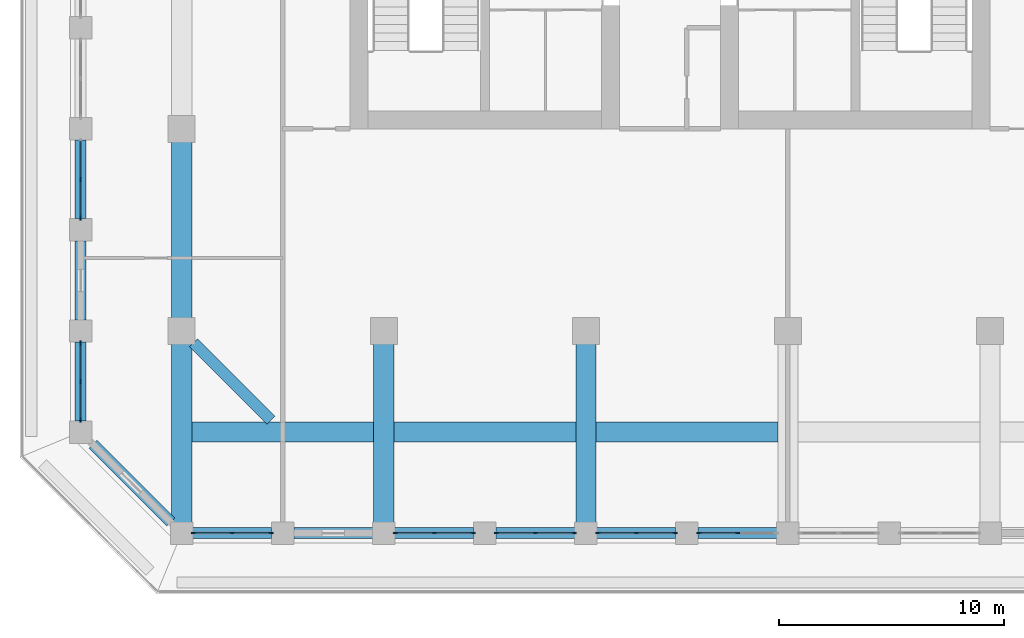
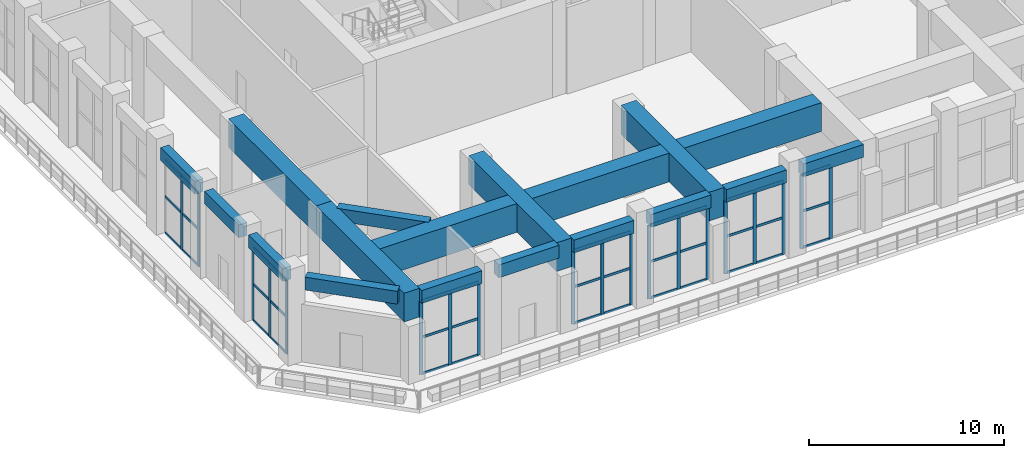
# One storey, part 2 of 25: 58 members, 18 beams, 7 elements without a shape of their own.
"""IFC4 building model written with IfcOpenShell, lengths in metres."""

from ifc_helpers import new_model, si_unit, direction, frame, origin, origin_2d, place, context, subcontext, project, spatial, rectangle, extrude, material, material_profile, profile_set, type_object, element, aggregate, save


model = new_model("IFC4")

# Units and contexts
model_context = context("Model", 3, precision=1e-05, world=origin(), true_north=direction((0.0, 1.0)))
body_context = subcontext(model_context, "Body", "Model", "MODEL_VIEW")
ifc_project = project(units=[si_unit("LENGTHUNIT", "METRE"), si_unit("AREAUNIT", "SQUARE_METRE"), si_unit("VOLUMEUNIT", "CUBIC_METRE"), si_unit("PLANEANGLEUNIT", "RADIAN"), si_unit("MASSUNIT", "GRAM", prefix="KILO")], contexts=[model_context])

# Site, building, storey
site_placement = place(None, origin())
site = spatial("IfcSite", under=ifc_project, at=site_placement, CompositionType="ELEMENT")
building_placement = place(site_placement, origin())
building = spatial("IfcBuilding", under=site, at=building_placement, Name="Corbel Stack Research Tower", CompositionType="ELEMENT")
storey_placement = place(building_placement, frame((0.0, 0.0, 220.199951171875)))
storey = spatial("IfcBuildingStorey", under=building, at=storey_placement, Name="L50", CompositionType="ELEMENT", Elevation=220.199951171875)

# Curtain wall, members
ifc_material_1 = material(Name="Aluminium frame, clear glass", Category="aluminium")
curtain_wall_type = type_object("IfcCurtainWallType", Name="Upper amenity floor curtain wall CW3", PredefinedType="NOTDEFINED", material=ifc_material_1)
curtain_wall_1_placement = place(storey_placement, origin())
curtain_wall_1 = element("IfcCurtainWall", 1, at=curtain_wall_1_placement, inside=storey, type_object=curtain_wall_type, Name="Curtain wall CW3 L50 S01", PredefinedType="NOTDEFINED")
ifc_material_2 = material(Name="Aluminium mullion", Category="aluminium")
ifc_material_profile_1 = material_profile(ifc_material_2, rectangle(XDim=0.06005859375, YDim=0.199951171875, at=origin_2d()), Name="Mullion 60 x 200")
ifc_profile_set_1 = profile_set([ifc_material_profile_1], Name="Aluminium mullion")
member_type_1 = type_object("IfcMemberType", Name="Curtain wall mullion 60 x 200", PredefinedType="MULLION", material=ifc_profile_set_1)
member_1_placement = place(storey_placement, frame((-17.469970703125, -27.0, 0.0), z_axis=(0.0, 0.0, 1.0), x_axis=(0.0, 1.0, 0.0)))
member_1 = element("IfcMember", 2, at=member_1_placement, type_object=member_type_1, Name="CW3 mullion 1", PredefinedType="MULLION", context=body_context, shape_type="SweptSolid", body=[
    extrude(rectangle(XDim=0.06005859375, YDim=0.199951171875, at=origin_2d()), origin(), (0.0, 0.0, 1.0), 4.60009765625),
])
member_2_placement = place(storey_placement, frame((-15.75, -27.0, 0.0), z_axis=(0.0, 0.0, 1.0), x_axis=(0.0, 1.0, 0.0)))
member_2 = element("IfcMember", 3, at=member_2_placement, type_object=member_type_1, Name="CW3 mullion 2", PredefinedType="MULLION", context=body_context, shape_type="SweptSolid", body=[
    extrude(rectangle(XDim=0.06005859375, YDim=0.199951171875, at=origin_2d()), origin(), (0.0, 0.0, 1.0), 4.60009765625),
])
member_3_placement = place(storey_placement, frame((-14.030029296875, -27.0, 0.0), z_axis=(0.0, 0.0, 1.0), x_axis=(0.0, 1.0, 0.0)))
member_3 = element("IfcMember", 4, at=member_3_placement, type_object=member_type_1, Name="CW3 mullion 3", PredefinedType="MULLION", context=body_context, shape_type="SweptSolid", body=[
    extrude(rectangle(XDim=0.06005859375, YDim=0.199951171875, at=origin_2d()), origin(), (0.0, 0.0, 1.0), 4.60009765625),
])

curtain_wall_2_placement = place(storey_placement, origin())
curtain_wall_2 = element("IfcCurtainWall", 5, at=curtain_wall_2_placement, inside=storey, type_object=curtain_wall_type, Name="Curtain wall CW3 L50 S03", PredefinedType="NOTDEFINED")
member_4_placement = place(storey_placement, frame((-8.469970703125, -27.0, 0.0), z_axis=(0.0, 0.0, 1.0), x_axis=(0.0, 1.0, 0.0)))
member_4 = element("IfcMember", 6, at=member_4_placement, type_object=member_type_1, Name="CW3 mullion 1", PredefinedType="MULLION", context=body_context, shape_type="SweptSolid", body=[
    extrude(rectangle(XDim=0.06005859375, YDim=0.199951171875, at=origin_2d()), origin(), (0.0, 0.0, 1.0), 4.60009765625),
])
member_5_placement = place(storey_placement, frame((-6.75, -27.0, 0.0), z_axis=(0.0, 0.0, 1.0), x_axis=(0.0, 1.0, 0.0)))
member_5 = element("IfcMember", 7, at=member_5_placement, type_object=member_type_1, Name="CW3 mullion 2", PredefinedType="MULLION", context=body_context, shape_type="SweptSolid", body=[
    extrude(rectangle(XDim=0.06005859375, YDim=0.199951171875, at=origin_2d()), origin(), (0.0, 0.0, 1.0), 4.60009765625),
])
member_6_placement = place(storey_placement, frame((-5.030029296875, -27.0, 0.0), z_axis=(0.0, 0.0, 1.0), x_axis=(0.0, 1.0, 0.0)))
member_6 = element("IfcMember", 8, at=member_6_placement, type_object=member_type_1, Name="CW3 mullion 3", PredefinedType="MULLION", context=body_context, shape_type="SweptSolid", body=[
    extrude(rectangle(XDim=0.06005859375, YDim=0.199951171875, at=origin_2d()), origin(), (0.0, 0.0, 1.0), 4.60009765625),
])

curtain_wall_3_placement = place(storey_placement, origin())
curtain_wall_3 = element("IfcCurtainWall", 9, at=curtain_wall_3_placement, inside=storey, type_object=curtain_wall_type, Name="Curtain wall CW3 L50 S04", PredefinedType="NOTDEFINED")
member_7_placement = place(storey_placement, frame((-3.969970703125, -27.0, 0.0), z_axis=(0.0, 0.0, 1.0), x_axis=(0.0, 1.0, 0.0)))
member_7 = element("IfcMember", 10, at=member_7_placement, type_object=member_type_1, Name="CW3 mullion 1", PredefinedType="MULLION", context=body_context, shape_type="SweptSolid", body=[
    extrude(rectangle(XDim=0.06005859375, YDim=0.199951171875, at=origin_2d()), origin(), (0.0, 0.0, 1.0), 4.60009765625),
])
member_8_placement = place(storey_placement, frame((-2.25, -27.0, 0.0), z_axis=(0.0, 0.0, 1.0), x_axis=(0.0, 1.0, 0.0)))
member_8 = element("IfcMember", 11, at=member_8_placement, type_object=member_type_1, Name="CW3 mullion 2", PredefinedType="MULLION", context=body_context, shape_type="SweptSolid", body=[
    extrude(rectangle(XDim=0.06005859375, YDim=0.199951171875, at=origin_2d()), origin(), (0.0, 0.0, 1.0), 4.60009765625),
])
member_9_placement = place(storey_placement, frame((-0.530029296875, -27.0, 0.0), z_axis=(0.0, 0.0, 1.0), x_axis=(0.0, 1.0, 0.0)))
member_9 = element("IfcMember", 12, at=member_9_placement, type_object=member_type_1, Name="CW3 mullion 3", PredefinedType="MULLION", context=body_context, shape_type="SweptSolid", body=[
    extrude(rectangle(XDim=0.06005859375, YDim=0.199951171875, at=origin_2d()), origin(), (0.0, 0.0, 1.0), 4.60009765625),
])

curtain_wall_4_placement = place(storey_placement, origin())
curtain_wall_4 = element("IfcCurtainWall", 13, at=curtain_wall_4_placement, inside=storey, type_object=curtain_wall_type, Name="Curtain wall CW3 L50 S05", PredefinedType="NOTDEFINED")
member_10_placement = place(storey_placement, frame((0.530029296875, -27.0, 0.0), z_axis=(0.0, 0.0, 1.0), x_axis=(0.0, 1.0, 0.0)))
member_10 = element("IfcMember", 14, at=member_10_placement, type_object=member_type_1, Name="CW3 mullion 1", PredefinedType="MULLION", context=body_context, shape_type="SweptSolid", body=[
    extrude(rectangle(XDim=0.06005859375, YDim=0.199951171875, at=origin_2d()), origin(), (0.0, 0.0, 1.0), 4.60009765625),
])
member_11_placement = place(storey_placement, frame((2.25, -27.0, 0.0), z_axis=(0.0, 0.0, 1.0), x_axis=(0.0, 1.0, 0.0)))
member_11 = element("IfcMember", 15, at=member_11_placement, type_object=member_type_1, Name="CW3 mullion 2", PredefinedType="MULLION", context=body_context, shape_type="SweptSolid", body=[
    extrude(rectangle(XDim=0.06005859375, YDim=0.199951171875, at=origin_2d()), origin(), (0.0, 0.0, 1.0), 4.60009765625),
])
member_12_placement = place(storey_placement, frame((3.969970703125, -27.0, 0.0), z_axis=(0.0, 0.0, 1.0), x_axis=(0.0, 1.0, 0.0)))
member_12 = element("IfcMember", 16, at=member_12_placement, type_object=member_type_1, Name="CW3 mullion 3", PredefinedType="MULLION", context=body_context, shape_type="SweptSolid", body=[
    extrude(rectangle(XDim=0.06005859375, YDim=0.199951171875, at=origin_2d()), origin(), (0.0, 0.0, 1.0), 4.60009765625),
])

curtain_wall_5_placement = place(storey_placement, origin())
curtain_wall_5 = element("IfcCurtainWall", 17, at=curtain_wall_5_placement, inside=storey, type_object=curtain_wall_type, Name="Curtain wall CW3 L50 S06", PredefinedType="NOTDEFINED")
member_13_placement = place(storey_placement, frame((5.030029296875, -27.0, 0.0), z_axis=(0.0, 0.0, 1.0), x_axis=(0.0, 1.0, 0.0)))
member_13 = element("IfcMember", 18, at=member_13_placement, type_object=member_type_1, Name="CW3 mullion 1", PredefinedType="MULLION", context=body_context, shape_type="SweptSolid", body=[
    extrude(rectangle(XDim=0.06005859375, YDim=0.199951171875, at=origin_2d()), origin(), (0.0, 0.0, 1.0), 4.60009765625),
])
member_14_placement = place(storey_placement, frame((6.75, -27.0, 0.0), z_axis=(0.0, 0.0, 1.0), x_axis=(0.0, 1.0, 0.0)))
member_14 = element("IfcMember", 19, at=member_14_placement, type_object=member_type_1, Name="CW3 mullion 2", PredefinedType="MULLION", context=body_context, shape_type="SweptSolid", body=[
    extrude(rectangle(XDim=0.06005859375, YDim=0.199951171875, at=origin_2d()), origin(), (0.0, 0.0, 1.0), 4.60009765625),
])

curtain_wall_6_placement = place(storey_placement, origin())
curtain_wall_6 = element("IfcCurtainWall", 20, at=curtain_wall_6_placement, inside=storey, type_object=curtain_wall_type, Name="Curtain wall CW3 L50 W08", PredefinedType="NOTDEFINED")
member_15_placement = place(storey_placement, frame((-22.5, -11.25, 0.0), z_axis=(0.0, 0.0, 1.0), x_axis=(1.0, 0.0, 0.0)))
member_15 = element("IfcMember", 21, at=member_15_placement, type_object=member_type_1, Name="CW3 mullion 2", PredefinedType="MULLION", context=body_context, shape_type="SweptSolid", body=[
    extrude(rectangle(XDim=0.06005859375, YDim=0.199951171875, at=origin_2d()), origin(), (0.0, 0.0, 1.0), 4.60009765625),
])
member_16_placement = place(storey_placement, frame((-22.5, -12.969970703125, 0.0), z_axis=(0.0, 0.0, 1.0), x_axis=(1.0, 0.0, 0.0)))
member_16 = element("IfcMember", 22, at=member_16_placement, type_object=member_type_1, Name="CW3 mullion 3", PredefinedType="MULLION", context=body_context, shape_type="SweptSolid", body=[
    extrude(rectangle(XDim=0.06005859375, YDim=0.199951171875, at=origin_2d()), origin(), (0.0, 0.0, 1.0), 4.60009765625),
])

curtain_wall_7_placement = place(storey_placement, origin())
curtain_wall_7 = element("IfcCurtainWall", 23, at=curtain_wall_7_placement, inside=storey, type_object=curtain_wall_type, Name="Curtain wall CW3 L50 W10", PredefinedType="NOTDEFINED")
member_17_placement = place(storey_placement, frame((-22.5, -18.530029296875, 0.0), z_axis=(0.0, 0.0, 1.0), x_axis=(1.0, 0.0, 0.0)))
member_17 = element("IfcMember", 24, at=member_17_placement, type_object=member_type_1, Name="CW3 mullion 1", PredefinedType="MULLION", context=body_context, shape_type="SweptSolid", body=[
    extrude(rectangle(XDim=0.06005859375, YDim=0.199951171875, at=origin_2d()), origin(), (0.0, 0.0, 1.0), 4.60009765625),
])
member_18_placement = place(storey_placement, frame((-22.5, -20.25, 0.0), z_axis=(0.0, 0.0, 1.0), x_axis=(1.0, 0.0, 0.0)))
member_18 = element("IfcMember", 25, at=member_18_placement, type_object=member_type_1, Name="CW3 mullion 2", PredefinedType="MULLION", context=body_context, shape_type="SweptSolid", body=[
    extrude(rectangle(XDim=0.06005859375, YDim=0.199951171875, at=origin_2d()), origin(), (0.0, 0.0, 1.0), 4.60009765625),
])
member_19_placement = place(storey_placement, frame((-22.5, -21.969970703125, 0.0), z_axis=(0.0, 0.0, 1.0), x_axis=(1.0, 0.0, 0.0)))
member_19 = element("IfcMember", 26, at=member_19_placement, type_object=member_type_1, Name="CW3 mullion 3", PredefinedType="MULLION", context=body_context, shape_type="SweptSolid", body=[
    extrude(rectangle(XDim=0.06005859375, YDim=0.199951171875, at=origin_2d()), origin(), (0.0, 0.0, 1.0), 4.60009765625),
])

# Member
ifc_material_3 = material(Name="Aluminium transom", Category="aluminium")
ifc_material_profile_2 = material_profile(ifc_material_3, rectangle(XDim=0.06005859375, YDim=0.14990234375, at=origin_2d()), Name="Transom 60 x 150")
ifc_profile_set_2 = profile_set([ifc_material_profile_2], Name="Aluminium transom")
member_type_2 = type_object("IfcMemberType", Name="Curtain wall transom 60 x 150", PredefinedType="USERDEFINED", material=ifc_profile_set_2)
member_20_placement = place(storey_placement, frame((-17.43994140625, -27.0, 0.030029296875), z_axis=(1.0, 0.0, 0.0), x_axis=(0.0, 1.0, 0.0)))
member_20 = element("IfcMember", 27, at=member_20_placement, type_object=member_type_2, Name="CW3 transom 1.1", ObjectType="TRANSOM", PredefinedType="USERDEFINED", context=body_context, shape_type="SweptSolid", body=[
    extrude(rectangle(XDim=0.06005859375, YDim=0.14990234375, at=origin_2d()), origin(), (0.0, 0.0, 1.0), 1.659912109375),
])

member_21_placement = place(storey_placement, frame((-17.43994140625, -27.0, 2.300048828125), z_axis=(1.0, 0.0, 0.0), x_axis=(0.0, 1.0, 0.0)))
member_21 = element("IfcMember", 28, at=member_21_placement, type_object=member_type_2, Name="CW3 transom 1.2", ObjectType="TRANSOM", PredefinedType="USERDEFINED", context=body_context, shape_type="SweptSolid", body=[
    extrude(rectangle(XDim=0.06005859375, YDim=0.14990234375, at=origin_2d()), origin(), (0.0, 0.0, 1.0), 1.659912109375),
])

member_22_placement = place(storey_placement, frame((-17.43994140625, -27.0, 4.570068359375), z_axis=(1.0, 0.0, 0.0), x_axis=(0.0, 1.0, 0.0)))
member_22 = element("IfcMember", 29, at=member_22_placement, type_object=member_type_2, Name="CW3 transom 1.3", ObjectType="TRANSOM", PredefinedType="USERDEFINED", context=body_context, shape_type="SweptSolid", body=[
    extrude(rectangle(XDim=0.06005859375, YDim=0.14990234375, at=origin_2d()), origin(), (0.0, 0.0, 1.0), 1.659912109375),
])

member_23_placement = place(storey_placement, frame((-15.719970703125, -27.0, 0.030029296875), z_axis=(1.0, 0.0, 0.0), x_axis=(0.0, 1.0, 0.0)))
member_23 = element("IfcMember", 30, at=member_23_placement, type_object=member_type_2, Name="CW3 transom 2.1", ObjectType="TRANSOM", PredefinedType="USERDEFINED", context=body_context, shape_type="SweptSolid", body=[
    extrude(rectangle(XDim=0.06005859375, YDim=0.14990234375, at=origin_2d()), origin(), (0.0, 0.0, 1.0), 1.659912109375),
])

member_24_placement = place(storey_placement, frame((-15.719970703125, -27.0, 2.300048828125), z_axis=(1.0, 0.0, 0.0), x_axis=(0.0, 1.0, 0.0)))
member_24 = element("IfcMember", 31, at=member_24_placement, type_object=member_type_2, Name="CW3 transom 2.2", ObjectType="TRANSOM", PredefinedType="USERDEFINED", context=body_context, shape_type="SweptSolid", body=[
    extrude(rectangle(XDim=0.06005859375, YDim=0.14990234375, at=origin_2d()), origin(), (0.0, 0.0, 1.0), 1.659912109375),
])

member_25_placement = place(storey_placement, frame((-15.719970703125, -27.0, 4.570068359375), z_axis=(1.0, 0.0, 0.0), x_axis=(0.0, 1.0, 0.0)))
member_25 = element("IfcMember", 32, at=member_25_placement, type_object=member_type_2, Name="CW3 transom 2.3", ObjectType="TRANSOM", PredefinedType="USERDEFINED", context=body_context, shape_type="SweptSolid", body=[
    extrude(rectangle(XDim=0.06005859375, YDim=0.14990234375, at=origin_2d()), origin(), (0.0, 0.0, 1.0), 1.659912109375),
])

aggregate(curtain_wall_1, [member_1, member_2, member_3, member_20, member_21, member_22, member_23, member_24, member_25])

member_26_placement = place(storey_placement, frame((-8.43994140625, -27.0, 0.030029296875), z_axis=(1.0, 0.0, 0.0), x_axis=(0.0, 1.0, 0.0)))
member_26 = element("IfcMember", 33, at=member_26_placement, type_object=member_type_2, Name="CW3 transom 1.1", ObjectType="TRANSOM", PredefinedType="USERDEFINED", context=body_context, shape_type="SweptSolid", body=[
    extrude(rectangle(XDim=0.06005859375, YDim=0.14990234375, at=origin_2d()), origin(), (0.0, 0.0, 1.0), 1.659912109375),
])

member_27_placement = place(storey_placement, frame((-8.43994140625, -27.0, 2.300048828125), z_axis=(1.0, 0.0, 0.0), x_axis=(0.0, 1.0, 0.0)))
member_27 = element("IfcMember", 34, at=member_27_placement, type_object=member_type_2, Name="CW3 transom 1.2", ObjectType="TRANSOM", PredefinedType="USERDEFINED", context=body_context, shape_type="SweptSolid", body=[
    extrude(rectangle(XDim=0.06005859375, YDim=0.14990234375, at=origin_2d()), origin(), (0.0, 0.0, 1.0), 1.659912109375),
])

member_28_placement = place(storey_placement, frame((-8.43994140625, -27.0, 4.570068359375), z_axis=(1.0, 0.0, 0.0), x_axis=(0.0, 1.0, 0.0)))
member_28 = element("IfcMember", 35, at=member_28_placement, type_object=member_type_2, Name="CW3 transom 1.3", ObjectType="TRANSOM", PredefinedType="USERDEFINED", context=body_context, shape_type="SweptSolid", body=[
    extrude(rectangle(XDim=0.06005859375, YDim=0.14990234375, at=origin_2d()), origin(), (0.0, 0.0, 1.0), 1.659912109375),
])

member_29_placement = place(storey_placement, frame((-6.719970703125, -27.0, 0.030029296875), z_axis=(1.0, 0.0, 0.0), x_axis=(0.0, 1.0, 0.0)))
member_29 = element("IfcMember", 36, at=member_29_placement, type_object=member_type_2, Name="CW3 transom 2.1", ObjectType="TRANSOM", PredefinedType="USERDEFINED", context=body_context, shape_type="SweptSolid", body=[
    extrude(rectangle(XDim=0.06005859375, YDim=0.14990234375, at=origin_2d()), origin(), (0.0, 0.0, 1.0), 1.659912109375),
])

member_30_placement = place(storey_placement, frame((-6.719970703125, -27.0, 2.300048828125), z_axis=(1.0, 0.0, 0.0), x_axis=(0.0, 1.0, 0.0)))
member_30 = element("IfcMember", 37, at=member_30_placement, type_object=member_type_2, Name="CW3 transom 2.2", ObjectType="TRANSOM", PredefinedType="USERDEFINED", context=body_context, shape_type="SweptSolid", body=[
    extrude(rectangle(XDim=0.06005859375, YDim=0.14990234375, at=origin_2d()), origin(), (0.0, 0.0, 1.0), 1.659912109375),
])

member_31_placement = place(storey_placement, frame((-6.719970703125, -27.0, 4.570068359375), z_axis=(1.0, 0.0, 0.0), x_axis=(0.0, 1.0, 0.0)))
member_31 = element("IfcMember", 38, at=member_31_placement, type_object=member_type_2, Name="CW3 transom 2.3", ObjectType="TRANSOM", PredefinedType="USERDEFINED", context=body_context, shape_type="SweptSolid", body=[
    extrude(rectangle(XDim=0.06005859375, YDim=0.14990234375, at=origin_2d()), origin(), (0.0, 0.0, 1.0), 1.659912109375),
])

aggregate(curtain_wall_2, [member_4, member_5, member_6, member_26, member_27, member_28, member_29, member_30, member_31])

member_32_placement = place(storey_placement, frame((-3.93994140625, -27.0, 0.030029296875), z_axis=(1.0, 0.0, 0.0), x_axis=(0.0, 1.0, 0.0)))
member_32 = element("IfcMember", 39, at=member_32_placement, type_object=member_type_2, Name="CW3 transom 1.1", ObjectType="TRANSOM", PredefinedType="USERDEFINED", context=body_context, shape_type="SweptSolid", body=[
    extrude(rectangle(XDim=0.06005859375, YDim=0.14990234375, at=origin_2d()), origin(), (0.0, 0.0, 1.0), 1.659912109375),
])

member_33_placement = place(storey_placement, frame((-3.93994140625, -27.0, 2.300048828125), z_axis=(1.0, 0.0, 0.0), x_axis=(0.0, 1.0, 0.0)))
member_33 = element("IfcMember", 40, at=member_33_placement, type_object=member_type_2, Name="CW3 transom 1.2", ObjectType="TRANSOM", PredefinedType="USERDEFINED", context=body_context, shape_type="SweptSolid", body=[
    extrude(rectangle(XDim=0.06005859375, YDim=0.14990234375, at=origin_2d()), origin(), (0.0, 0.0, 1.0), 1.659912109375),
])

member_34_placement = place(storey_placement, frame((-3.93994140625, -27.0, 4.570068359375), z_axis=(1.0, 0.0, 0.0), x_axis=(0.0, 1.0, 0.0)))
member_34 = element("IfcMember", 41, at=member_34_placement, type_object=member_type_2, Name="CW3 transom 1.3", ObjectType="TRANSOM", PredefinedType="USERDEFINED", context=body_context, shape_type="SweptSolid", body=[
    extrude(rectangle(XDim=0.06005859375, YDim=0.14990234375, at=origin_2d()), origin(), (0.0, 0.0, 1.0), 1.659912109375),
])

member_35_placement = place(storey_placement, frame((-2.219970703125, -27.0, 0.030029296875), z_axis=(1.0, 0.0, 0.0), x_axis=(0.0, 1.0, 0.0)))
member_35 = element("IfcMember", 42, at=member_35_placement, type_object=member_type_2, Name="CW3 transom 2.1", ObjectType="TRANSOM", PredefinedType="USERDEFINED", context=body_context, shape_type="SweptSolid", body=[
    extrude(rectangle(XDim=0.06005859375, YDim=0.14990234375, at=origin_2d()), origin(), (0.0, 0.0, 1.0), 1.659912109375),
])

member_36_placement = place(storey_placement, frame((-2.219970703125, -27.0, 2.300048828125), z_axis=(1.0, 0.0, 0.0), x_axis=(0.0, 1.0, 0.0)))
member_36 = element("IfcMember", 43, at=member_36_placement, type_object=member_type_2, Name="CW3 transom 2.2", ObjectType="TRANSOM", PredefinedType="USERDEFINED", context=body_context, shape_type="SweptSolid", body=[
    extrude(rectangle(XDim=0.06005859375, YDim=0.14990234375, at=origin_2d()), origin(), (0.0, 0.0, 1.0), 1.659912109375),
])

member_37_placement = place(storey_placement, frame((-2.219970703125, -27.0, 4.570068359375), z_axis=(1.0, 0.0, 0.0), x_axis=(0.0, 1.0, 0.0)))
member_37 = element("IfcMember", 44, at=member_37_placement, type_object=member_type_2, Name="CW3 transom 2.3", ObjectType="TRANSOM", PredefinedType="USERDEFINED", context=body_context, shape_type="SweptSolid", body=[
    extrude(rectangle(XDim=0.06005859375, YDim=0.14990234375, at=origin_2d()), origin(), (0.0, 0.0, 1.0), 1.659912109375),
])

aggregate(curtain_wall_3, [member_7, member_8, member_9, member_32, member_33, member_34, member_35, member_36, member_37])

member_38_placement = place(storey_placement, frame((0.56005859375, -27.0, 0.030029296875), z_axis=(1.0, 0.0, 0.0), x_axis=(0.0, 1.0, 0.0)))
member_38 = element("IfcMember", 45, at=member_38_placement, type_object=member_type_2, Name="CW3 transom 1.1", ObjectType="TRANSOM", PredefinedType="USERDEFINED", context=body_context, shape_type="SweptSolid", body=[
    extrude(rectangle(XDim=0.06005859375, YDim=0.14990234375, at=origin_2d()), origin(), (0.0, 0.0, 1.0), 1.659912109375),
])

member_39_placement = place(storey_placement, frame((0.56005859375, -27.0, 2.300048828125), z_axis=(1.0, 0.0, 0.0), x_axis=(0.0, 1.0, 0.0)))
member_39 = element("IfcMember", 46, at=member_39_placement, type_object=member_type_2, Name="CW3 transom 1.2", ObjectType="TRANSOM", PredefinedType="USERDEFINED", context=body_context, shape_type="SweptSolid", body=[
    extrude(rectangle(XDim=0.06005859375, YDim=0.14990234375, at=origin_2d()), origin(), (0.0, 0.0, 1.0), 1.659912109375),
])

member_40_placement = place(storey_placement, frame((0.56005859375, -27.0, 4.570068359375), z_axis=(1.0, 0.0, 0.0), x_axis=(0.0, 1.0, 0.0)))
member_40 = element("IfcMember", 47, at=member_40_placement, type_object=member_type_2, Name="CW3 transom 1.3", ObjectType="TRANSOM", PredefinedType="USERDEFINED", context=body_context, shape_type="SweptSolid", body=[
    extrude(rectangle(XDim=0.06005859375, YDim=0.14990234375, at=origin_2d()), origin(), (0.0, 0.0, 1.0), 1.659912109375),
])

member_41_placement = place(storey_placement, frame((2.280029296875, -27.0, 0.030029296875), z_axis=(1.0, 0.0, 0.0), x_axis=(0.0, 1.0, 0.0)))
member_41 = element("IfcMember", 48, at=member_41_placement, type_object=member_type_2, Name="CW3 transom 2.1", ObjectType="TRANSOM", PredefinedType="USERDEFINED", context=body_context, shape_type="SweptSolid", body=[
    extrude(rectangle(XDim=0.06005859375, YDim=0.14990234375, at=origin_2d()), origin(), (0.0, 0.0, 1.0), 1.659912109375),
])

member_42_placement = place(storey_placement, frame((2.280029296875, -27.0, 2.300048828125), z_axis=(1.0, 0.0, 0.0), x_axis=(0.0, 1.0, 0.0)))
member_42 = element("IfcMember", 49, at=member_42_placement, type_object=member_type_2, Name="CW3 transom 2.2", ObjectType="TRANSOM", PredefinedType="USERDEFINED", context=body_context, shape_type="SweptSolid", body=[
    extrude(rectangle(XDim=0.06005859375, YDim=0.14990234375, at=origin_2d()), origin(), (0.0, 0.0, 1.0), 1.659912109375),
])

member_43_placement = place(storey_placement, frame((2.280029296875, -27.0, 4.570068359375), z_axis=(1.0, 0.0, 0.0), x_axis=(0.0, 1.0, 0.0)))
member_43 = element("IfcMember", 50, at=member_43_placement, type_object=member_type_2, Name="CW3 transom 2.3", ObjectType="TRANSOM", PredefinedType="USERDEFINED", context=body_context, shape_type="SweptSolid", body=[
    extrude(rectangle(XDim=0.06005859375, YDim=0.14990234375, at=origin_2d()), origin(), (0.0, 0.0, 1.0), 1.659912109375),
])

aggregate(curtain_wall_4, [member_10, member_11, member_12, member_38, member_39, member_40, member_41, member_42, member_43])

member_44_placement = place(storey_placement, frame((5.06005859375, -27.0, 0.030029296875), z_axis=(1.0, 0.0, 0.0), x_axis=(0.0, 1.0, 0.0)))
member_44 = element("IfcMember", 51, at=member_44_placement, type_object=member_type_2, Name="CW3 transom 1.1", ObjectType="TRANSOM", PredefinedType="USERDEFINED", context=body_context, shape_type="SweptSolid", body=[
    extrude(rectangle(XDim=0.06005859375, YDim=0.14990234375, at=origin_2d()), origin(), (0.0, 0.0, 1.0), 1.659912109375),
])

member_45_placement = place(storey_placement, frame((5.06005859375, -27.0, 2.300048828125), z_axis=(1.0, 0.0, 0.0), x_axis=(0.0, 1.0, 0.0)))
member_45 = element("IfcMember", 52, at=member_45_placement, type_object=member_type_2, Name="CW3 transom 1.2", ObjectType="TRANSOM", PredefinedType="USERDEFINED", context=body_context, shape_type="SweptSolid", body=[
    extrude(rectangle(XDim=0.06005859375, YDim=0.14990234375, at=origin_2d()), origin(), (0.0, 0.0, 1.0), 1.659912109375),
])

member_46_placement = place(storey_placement, frame((5.06005859375, -27.0, 4.570068359375), z_axis=(1.0, 0.0, 0.0), x_axis=(0.0, 1.0, 0.0)))
member_46 = element("IfcMember", 53, at=member_46_placement, type_object=member_type_2, Name="CW3 transom 1.3", ObjectType="TRANSOM", PredefinedType="USERDEFINED", context=body_context, shape_type="SweptSolid", body=[
    extrude(rectangle(XDim=0.06005859375, YDim=0.14990234375, at=origin_2d()), origin(), (0.0, 0.0, 1.0), 1.659912109375),
])

aggregate(curtain_wall_5, [member_13, member_14, member_44, member_45, member_46])

member_47_placement = place(storey_placement, frame((-22.5, -9.56005859375, 0.030029296875), z_axis=(0.0, -1.0, 0.0), x_axis=(1.0, 0.0, 0.0)))
member_47 = element("IfcMember", 54, at=member_47_placement, type_object=member_type_2, Name="CW3 transom 1.1", ObjectType="TRANSOM", PredefinedType="USERDEFINED", context=body_context, shape_type="SweptSolid", body=[
    extrude(rectangle(XDim=0.06005859375, YDim=0.14990234375, at=origin_2d()), origin(), (0.0, 0.0, 1.0), 1.659912109375),
])

member_48_placement = place(storey_placement, frame((-22.5, -9.56005859375, 2.300048828125), z_axis=(0.0, -1.0, 0.0), x_axis=(1.0, 0.0, 0.0)))
member_48 = element("IfcMember", 55, at=member_48_placement, type_object=member_type_2, Name="CW3 transom 1.2", ObjectType="TRANSOM", PredefinedType="USERDEFINED", context=body_context, shape_type="SweptSolid", body=[
    extrude(rectangle(XDim=0.06005859375, YDim=0.14990234375, at=origin_2d()), origin(), (0.0, 0.0, 1.0), 1.659912109375),
])

member_49_placement = place(storey_placement, frame((-22.5, -9.56005859375, 4.570068359375), z_axis=(0.0, -1.0, 0.0), x_axis=(1.0, 0.0, 0.0)))
member_49 = element("IfcMember", 56, at=member_49_placement, type_object=member_type_2, Name="CW3 transom 1.3", ObjectType="TRANSOM", PredefinedType="USERDEFINED", context=body_context, shape_type="SweptSolid", body=[
    extrude(rectangle(XDim=0.06005859375, YDim=0.14990234375, at=origin_2d()), origin(), (0.0, 0.0, 1.0), 1.659912109375),
])

member_50_placement = place(storey_placement, frame((-22.5, -11.280029296875, 0.030029296875), z_axis=(0.0, -1.0, 0.0), x_axis=(1.0, 0.0, 0.0)))
member_50 = element("IfcMember", 57, at=member_50_placement, type_object=member_type_2, Name="CW3 transom 2.1", ObjectType="TRANSOM", PredefinedType="USERDEFINED", context=body_context, shape_type="SweptSolid", body=[
    extrude(rectangle(XDim=0.06005859375, YDim=0.14990234375, at=origin_2d()), origin(), (0.0, 0.0, 1.0), 1.659912109375),
])

member_51_placement = place(storey_placement, frame((-22.5, -11.280029296875, 2.300048828125), z_axis=(0.0, -1.0, 0.0), x_axis=(1.0, 0.0, 0.0)))
member_51 = element("IfcMember", 58, at=member_51_placement, type_object=member_type_2, Name="CW3 transom 2.2", ObjectType="TRANSOM", PredefinedType="USERDEFINED", context=body_context, shape_type="SweptSolid", body=[
    extrude(rectangle(XDim=0.06005859375, YDim=0.14990234375, at=origin_2d()), origin(), (0.0, 0.0, 1.0), 1.659912109375),
])

member_52_placement = place(storey_placement, frame((-22.5, -11.280029296875, 4.570068359375), z_axis=(0.0, -1.0, 0.0), x_axis=(1.0, 0.0, 0.0)))
member_52 = element("IfcMember", 59, at=member_52_placement, type_object=member_type_2, Name="CW3 transom 2.3", ObjectType="TRANSOM", PredefinedType="USERDEFINED", context=body_context, shape_type="SweptSolid", body=[
    extrude(rectangle(XDim=0.06005859375, YDim=0.14990234375, at=origin_2d()), origin(), (0.0, 0.0, 1.0), 1.659912109375),
])

aggregate(curtain_wall_6, [member_15, member_16, member_47, member_48, member_49, member_50, member_51, member_52])

member_53_placement = place(storey_placement, frame((-22.5, -18.56005859375, 0.030029296875), z_axis=(0.0, -1.0, 0.0), x_axis=(1.0, 0.0, 0.0)))
member_53 = element("IfcMember", 60, at=member_53_placement, type_object=member_type_2, Name="CW3 transom 1.1", ObjectType="TRANSOM", PredefinedType="USERDEFINED", context=body_context, shape_type="SweptSolid", body=[
    extrude(rectangle(XDim=0.06005859375, YDim=0.14990234375, at=origin_2d()), origin(), (0.0, 0.0, 1.0), 1.659912109375),
])

member_54_placement = place(storey_placement, frame((-22.5, -18.56005859375, 2.300048828125), z_axis=(0.0, -1.0, 0.0), x_axis=(1.0, 0.0, 0.0)))
member_54 = element("IfcMember", 61, at=member_54_placement, type_object=member_type_2, Name="CW3 transom 1.2", ObjectType="TRANSOM", PredefinedType="USERDEFINED", context=body_context, shape_type="SweptSolid", body=[
    extrude(rectangle(XDim=0.06005859375, YDim=0.14990234375, at=origin_2d()), origin(), (0.0, 0.0, 1.0), 1.659912109375),
])

member_55_placement = place(storey_placement, frame((-22.5, -18.56005859375, 4.570068359375), z_axis=(0.0, -1.0, 0.0), x_axis=(1.0, 0.0, 0.0)))
member_55 = element("IfcMember", 62, at=member_55_placement, type_object=member_type_2, Name="CW3 transom 1.3", ObjectType="TRANSOM", PredefinedType="USERDEFINED", context=body_context, shape_type="SweptSolid", body=[
    extrude(rectangle(XDim=0.06005859375, YDim=0.14990234375, at=origin_2d()), origin(), (0.0, 0.0, 1.0), 1.659912109375),
])

member_56_placement = place(storey_placement, frame((-22.5, -20.280029296875, 0.030029296875), z_axis=(0.0, -1.0, 0.0), x_axis=(1.0, 0.0, 0.0)))
member_56 = element("IfcMember", 63, at=member_56_placement, type_object=member_type_2, Name="CW3 transom 2.1", ObjectType="TRANSOM", PredefinedType="USERDEFINED", context=body_context, shape_type="SweptSolid", body=[
    extrude(rectangle(XDim=0.06005859375, YDim=0.14990234375, at=origin_2d()), origin(), (0.0, 0.0, 1.0), 1.659912109375),
])

member_57_placement = place(storey_placement, frame((-22.5, -20.280029296875, 2.300048828125), z_axis=(0.0, -1.0, 0.0), x_axis=(1.0, 0.0, 0.0)))
member_57 = element("IfcMember", 64, at=member_57_placement, type_object=member_type_2, Name="CW3 transom 2.2", ObjectType="TRANSOM", PredefinedType="USERDEFINED", context=body_context, shape_type="SweptSolid", body=[
    extrude(rectangle(XDim=0.06005859375, YDim=0.14990234375, at=origin_2d()), origin(), (0.0, 0.0, 1.0), 1.659912109375),
])

member_58_placement = place(storey_placement, frame((-22.5, -20.280029296875, 4.570068359375), z_axis=(0.0, -1.0, 0.0), x_axis=(1.0, 0.0, 0.0)))
member_58 = element("IfcMember", 65, at=member_58_placement, type_object=member_type_2, Name="CW3 transom 2.3", ObjectType="TRANSOM", PredefinedType="USERDEFINED", context=body_context, shape_type="SweptSolid", body=[
    extrude(rectangle(XDim=0.06005859375, YDim=0.14990234375, at=origin_2d()), origin(), (0.0, 0.0, 1.0), 1.659912109375),
])

aggregate(curtain_wall_7, [member_17, member_18, member_19, member_53, member_54, member_55, member_56, member_57, member_58])

# Beams
ifc_material_4 = material(Name="Concrete C60/75", Category="concrete")
ifc_material_profile_3 = material_profile(ifc_material_4, rectangle(XDim=0.5, YDim=0.800048828125, at=origin_2d()), Name="RC 500 x 800")
ifc_profile_set_3 = profile_set([ifc_material_profile_3], Name="Concrete C60/75")
beam_type_1 = type_object("IfcBeamType", Name="SB-500-800-600", PredefinedType="SPANDREL", material=ifc_profile_set_3)
for number, where, z_axis, x_axis, name in (
    (66, (-17.550048828125, -27.0, 5.0), (1.0, 0.0, 0.0), (0.0, 1.0, 0.0), "Spandrel beam L50-01"),
    (67, (-13.0, -27.0, 5.0), (1.0, 0.0, 0.0), (0.0, 1.0, 0.0), "Spandrel beam L50-02"),
    (68, (-8.550048828125, -27.0, 5.0), (1.0, 0.0, 0.0), (0.0, 1.0, 0.0), "Spandrel beam L50-03"),
    (69, (-4.0, -27.0, 5.0), (1.0, 0.0, 0.0), (0.0, 1.0, 0.0), "Spandrel beam L50-04"),
    (70, (0.449951171875, -27.0, 5.0), (1.0, 0.0, 0.0), (0.0, 1.0, 0.0), "Spandrel beam L50-05"),
    (71, (5.0, -27.0, 5.0), (1.0, 0.0, 0.0), (0.0, 1.0, 0.0), "Spandrel beam L50-06"),
):
    element("IfcBeam", number, at=place(storey_placement, frame(where, z_axis=z_axis, x_axis=x_axis)), inside=storey, type_object=beam_type_1, Name=name, PredefinedType="SPANDREL", context=body_context, shape_type="SweptSolid", body=[
        extrude(rectangle(XDim=0.5, YDim=0.800048828125, at=origin_2d()), origin(), (0.0, 0.0, 1.0), 3.550048828125),
    ])
for number, where, z_axis, x_axis, name in (
    (72, (-22.5, -9.5, 5.0), (0.0, -1.0, 0.0), (1.0, 0.0, 0.0), "Spandrel beam L50-41"),
    (73, (-22.5, -14.0, 5.0), (0.0, -1.0, 0.0), (1.0, 0.0, 0.0), "Spandrel beam L50-42"),
    (74, (-22.5, -18.5, 5.0), (0.0, -1.0, 0.0), (1.0, 0.0, 0.0), "Spandrel beam L50-43"),
):
    element("IfcBeam", number, at=place(storey_placement, frame(where, z_axis=z_axis, x_axis=x_axis)), inside=storey, type_object=beam_type_1, Name=name, PredefinedType="SPANDREL", context=body_context, shape_type="SweptSolid", body=[
        extrude(rectangle(XDim=0.5, YDim=0.800048828125, at=origin_2d()), origin(), (0.0, 0.0, 1.0), 3.5),
    ])
beam_1_placement = place(storey_placement, frame((-21.95751953125, -23.04248046875, 5.0), z_axis=(0.707106781187, -0.707106781187, 0.0), x_axis=(0.707106781187, 0.707106781187, 0.0)))
element("IfcBeam", 75, at=beam_1_placement, inside=storey, type_object=beam_type_1, Name="Spandrel beam L50-44", PredefinedType="SPANDREL", context=body_context, shape_type="SweptSolid", body=[
    extrude(rectangle(XDim=0.5, YDim=0.800048828125, at=origin_2d()), origin(), (0.0, 0.0, 1.0), 4.900390625),
])
beam_2_placement = place(storey_placement, frame((-17.47216796875, -18.52783203125, 5.0), z_axis=(0.707106781187, -0.707106781187, 0.0), x_axis=(0.707106781187, 0.707106781187, 0.0)))
element("IfcBeam", 76, at=beam_2_placement, inside=storey, type_object=beam_type_1, Name="Spandrel beam L50-48", PredefinedType="SPANDREL", context=body_context, shape_type="SweptSolid", body=[
    extrude(rectangle(XDim=0.5, YDim=0.800048828125, at=origin_2d()), origin(), (0.0, 0.0, 1.0), 4.87109375),
])
ifc_material_5 = material(Name="Concrete C60/75", Category="concrete")
ifc_material_profile_4 = material_profile(ifc_material_5, rectangle(XDim=0.89990234375, YDim=1.800048828125, at=origin_2d()), Name="RC 900 x 1800")
ifc_profile_set_4 = profile_set([ifc_material_profile_4], Name="Concrete C60/75")
beam_type_2 = type_object("IfcBeamType", Name="TG-900-1800", PredefinedType="BEAM", material=ifc_profile_set_4)
for number, where, z_axis, x_axis, name in (
    (77, (-18.0, -18.0, 4.5), (0.0, 1.0, 0.0), (-1.0, 0.0, 0.0), "Transfer girder along the step L50 Wl-18"),
    (78, (-18.0, -27.0, 4.5), (0.0, 1.0, 0.0), (-1.0, 0.0, 0.0), "Transfer cross girder L50 Sx-18"),
    (79, (-9.0, -27.0, 4.5), (0.0, 1.0, 0.0), (-1.0, 0.0, 0.0), "Transfer cross girder L50 Sx-9"),
    (80, (0.0, -27.0, 4.5), (0.0, 1.0, 0.0), (-1.0, 0.0, 0.0), "Transfer cross girder L50 Sx0"),
):
    element("IfcBeam", number, at=place(storey_placement, frame(where, z_axis=z_axis, x_axis=x_axis)), inside=storey, type_object=beam_type_2, Name=name, PredefinedType="BEAM", context=body_context, shape_type="SweptSolid", body=[
        extrude(rectangle(XDim=0.89990234375, YDim=1.800048828125, at=origin_2d()), origin(), (0.0, 0.0, 1.0), 9.0),
    ])
for number, where, z_axis, x_axis, name in (
    (81, (-17.550048828125, -22.5, 4.5), (1.0, 0.0, 0.0), (0.0, 1.0, 0.0), "Transfer girder along the step L50 Sl-18"),
    (82, (-8.550048828125, -22.5, 4.5), (1.0, 0.0, 0.0), (0.0, 1.0, 0.0), "Transfer girder along the step L50 Sl-9"),
    (83, (0.449951171875, -22.5, 4.5), (1.0, 0.0, 0.0), (0.0, 1.0, 0.0), "Transfer girder along the step L50 Sl0"),
):
    element("IfcBeam", number, at=place(storey_placement, frame(where, z_axis=z_axis, x_axis=x_axis)), inside=storey, type_object=beam_type_2, Name=name, PredefinedType="BEAM", context=body_context, shape_type="SweptSolid", body=[
        extrude(rectangle(XDim=0.89990234375, YDim=1.800048828125, at=origin_2d()), origin(), (0.0, 0.0, 1.0), 8.10009765625),
    ])

save(model, "model.ifc")
